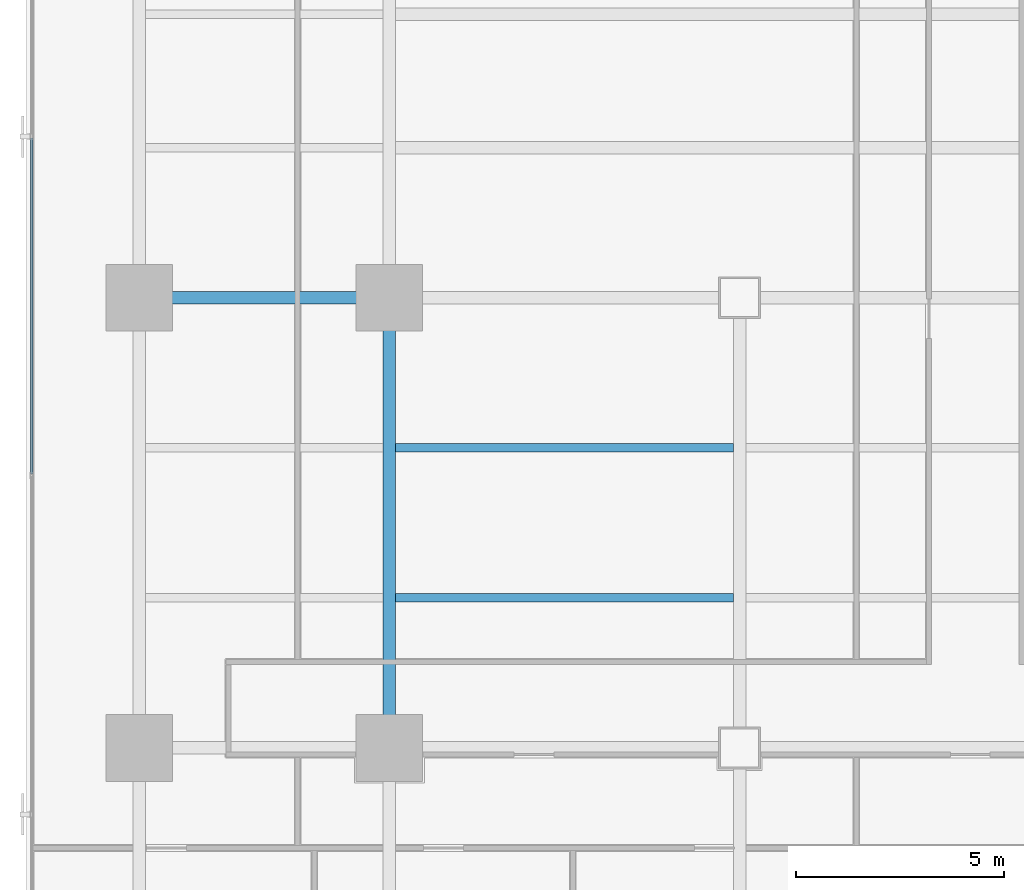
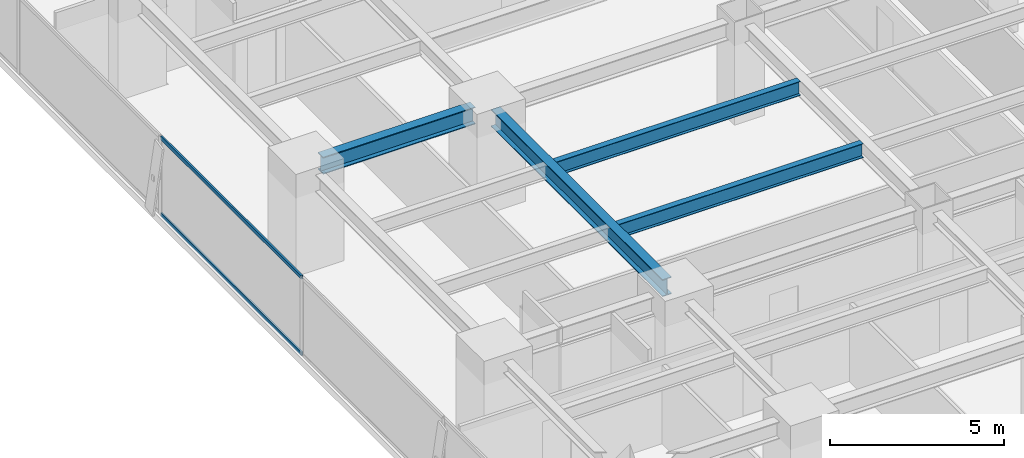
# One storey, part 9 of 37: 4 beams, 2 members, 1 element without a shape of its own.
"""IFC4 building model written with IfcOpenShell, lengths in metres."""

from ifc_helpers import new_model, si_unit, direction, frame, origin, origin_2d, place, context, subcontext, project, spatial, hollow_rectangle, i_section, extrude, source, transform, mapped, material, layer, layer_set, material_profile, profile_set, type_object, element, aggregate, save


model = new_model("IFC4")

# Units and contexts
model_context = context("Model", 3, precision=1e-05, world=origin(), true_north=direction((0.0, 1.0)))
body_context = subcontext(model_context, "Body", "Model", "MODEL_VIEW")
ifc_project = project(units=[si_unit("LENGTHUNIT", "METRE"), si_unit("AREAUNIT", "SQUARE_METRE"), si_unit("VOLUMEUNIT", "CUBIC_METRE"), si_unit("PLANEANGLEUNIT", "RADIAN"), si_unit("MASSUNIT", "GRAM", prefix="KILO")], contexts=[model_context])

# Site, building, storey
site_placement = place(None, origin())
site = spatial("IfcSite", under=ifc_project, at=site_placement, CompositionType="ELEMENT")
building_placement = place(site_placement, origin())
building = spatial("IfcBuilding", under=site, at=building_placement, Name="Sumidabori Civic Tower", CompositionType="ELEMENT")
storey_placement = place(building_placement, frame((0.0, 0.0, 88.39990234375)))
storey = spatial("IfcBuildingStorey", under=building, at=storey_placement, Name="L22", CompositionType="ELEMENT", Elevation=88.39990234375)

# Beams
ifc_material_1 = material(Name="Steel SN490", Category="steel")
ifc_material_profile_1 = material_profile(ifc_material_1, i_section(OverallWidth=0.300048828125, OverallDepth=0.60009765625, WebThickness=0.015380859375, FlangeThickness=0.030029296875, at=origin_2d()), Name="HE 600 B")
ifc_profile_set_1 = profile_set([ifc_material_profile_1], Name="Steel SN490")
beam_type_1 = type_object("IfcBeamType", Name="BM-GIRD-600", PredefinedType="BEAM", material=ifc_profile_set_1)
shared_shape_1 = source(origin(), body_context, "Body", "SweptSolid", [
    extrude(i_section(OverallWidth=0.300048828125, OverallDepth=0.60009765625, WebThickness=0.015380859375, FlangeThickness=0.030029296875, at=origin_2d()), origin(), (0.0, 0.0, 1.0), 5.0400390625),
])
beam_1_placement = place(storey_placement, frame((-22.320068359375, 0.0, 3.06005859375), z_axis=(1.0, 0.0, 0.0), x_axis=(0.0, 1.0, 0.0)))
element("IfcBeam", 1, at=beam_1_placement, inside=storey, type_object=beam_type_1, Name="Primary Girder L22 GX-13", PredefinedType="BEAM", context=body_context, shape_type="MappedRepresentation", body=[
    mapped(shared_shape_1, transform((0.0, 0.0, 0.0), x_axis=(1.0, 0.0, 0.0), y_axis=(0.0, 1.0, 0.0), z_axis=(0.0, 0.0, 1.0), scale=1.0)),
])
shared_shape_2 = source(origin(), body_context, "Body", "SweptSolid", [
    extrude(i_section(OverallWidth=0.300048828125, OverallDepth=0.60009765625, WebThickness=0.015380859375, FlangeThickness=0.030029296875, at=origin_2d()), origin(), (0.0, 0.0, 1.0), 9.840087890625),
])
beam_2_placement = place(storey_placement, frame((-16.800048828125, -10.320068359375, 3.06005859375), z_axis=(0.0, 1.0, 0.0), x_axis=(-1.0, 0.0, 0.0)))
element("IfcBeam", 2, at=beam_2_placement, inside=storey, type_object=beam_type_1, Name="Primary Girder L22 GY-26", PredefinedType="BEAM", context=body_context, shape_type="MappedRepresentation", body=[
    mapped(shared_shape_2, transform((0.0, 0.0, 0.0), x_axis=(1.0, 0.0, 0.0), y_axis=(0.0, 1.0, 0.0), z_axis=(0.0, 0.0, 1.0), scale=1.0)),
])
ifc_material_profile_2 = material_profile(ifc_material_1, i_section(OverallWidth=0.199951171875, OverallDepth=0.5, WebThickness=0.01025390625, FlangeThickness=0.01611328125, at=origin_2d()), Name="IPE 500")
ifc_profile_set_2 = profile_set([ifc_material_profile_2], Name="Steel SN490")
beam_type_2 = type_object("IfcBeamType", Name="BM-JST-500", PredefinedType="JOIST", material=ifc_profile_set_2)
shared_shape_3 = source(origin(), body_context, "Body", "SweptSolid", [
    extrude(i_section(OverallWidth=0.199951171875, OverallDepth=0.5, WebThickness=0.01025390625, FlangeThickness=0.01611328125, at=origin_2d()), origin(), (0.0, 0.0, 1.0), 8.099853515625),
])
for number, where, z_axis, x_axis, name in (
    (3, (-16.64990234375, -7.199951171875, 3.110107421875), (1.0, 0.0, 0.0), (0.0, 1.0, 0.0), "South Bay Floor Joist L22 JSTS-59"),
    (4, (-16.64990234375, -3.60009765625, 3.110107421875), (1.0, 0.0, 0.0), (0.0, 1.0, 0.0), "South Bay Floor Joist L22 JSTS-63"),
):
    element("IfcBeam", number, at=place(storey_placement, frame(where, z_axis=z_axis, x_axis=x_axis)), inside=storey, type_object=beam_type_2, Name=name, PredefinedType="JOIST", context=body_context, shape_type="MappedRepresentation", body=[
        mapped(shared_shape_3, transform((0.0, 0.0, 0.0), x_axis=(1.0, 0.0, 0.0), y_axis=(0.0, 1.0, 0.0), z_axis=(0.0, 0.0, 1.0), scale=1.0)),
    ])

# Curtain wall, members
ifc_material_2 = material(Name="Anodised Bronze Aluminium AW-6063-T6", Category="aluminium")
ifc_layer = layer(ifc_material_2, 0.179931640625, Name="Anodised Bronze Aluminium AW-6063-T6")
ifc_layer_set = layer_set([ifc_layer], Name="Anodised Bronze Aluminium AW-6063-T6")
curtain_wall_type = type_object("IfcCurtainWallType", Name="CW-SYS-3", PredefinedType="NOTDEFINED", material=ifc_layer_set)
curtain_wall_placement = place(storey_placement, origin())
curtain_wall = element("IfcCurtainWall", 5, at=curtain_wall_placement, inside=storey, type_object=curtain_wall_type, Name="Curtain Wall CW:L22:R10", PredefinedType="NOTDEFINED")
ifc_material_profile_3 = material_profile(ifc_material_2, hollow_rectangle(XDim=0.06005859375, YDim=0.1298828125, WallThickness=0.0048828125, at=origin_2d()), Name="ALU TRANSOM 130x60")
ifc_profile_set_3 = profile_set([ifc_material_profile_3], Name="Anodised Bronze Aluminium AW-6063-T6")
member_type = type_object("IfcMemberType", Name="CW-TRN-130", PredefinedType="USERDEFINED", material=ifc_profile_set_3)
shared_shape_4 = source(origin(), body_context, "Body", "SweptSolid", [
    extrude(hollow_rectangle(XDim=0.06005859375, YDim=0.1298828125, WallThickness=0.0048828125, at=origin_2d()), origin(), (0.0, 0.0, 1.0), 8.06298828125),
])
member_1_placement = place(storey_placement, frame((-25.3798828125, 3.83154296875, 0.030029296875), z_axis=(0.0, -1.0, 0.0), x_axis=(1.0, 0.0, 0.0)))
member_1 = element("IfcMember", 6, at=member_1_placement, type_object=member_type, Name="CW-3 transom 3.1", ObjectType="TRANSOM", PredefinedType="USERDEFINED", context=body_context, shape_type="MappedRepresentation", body=[
    mapped(shared_shape_4, transform((0.0, 0.0, 0.0), x_axis=(1.0, 0.0, 0.0), y_axis=(0.0, 1.0, 0.0), z_axis=(0.0, 0.0, 1.0), scale=1.0)),
])
member_2_placement = place(storey_placement, frame((-25.3798828125, 3.83154296875, 2.710205078125), z_axis=(0.0, -1.0, 0.0), x_axis=(1.0, 0.0, 0.0)))
member_2 = element("IfcMember", 7, at=member_2_placement, type_object=member_type, Name="CW-3 transom 3.2", ObjectType="TRANSOM", PredefinedType="USERDEFINED", context=body_context, shape_type="MappedRepresentation", body=[
    mapped(shared_shape_4, transform((0.0, 0.0, 0.0), x_axis=(1.0, 0.0, 0.0), y_axis=(0.0, 1.0, 0.0), z_axis=(0.0, 0.0, 1.0), scale=1.0)),
])
aggregate(curtain_wall, [member_1, member_2])

save(model, "model.ifc")
